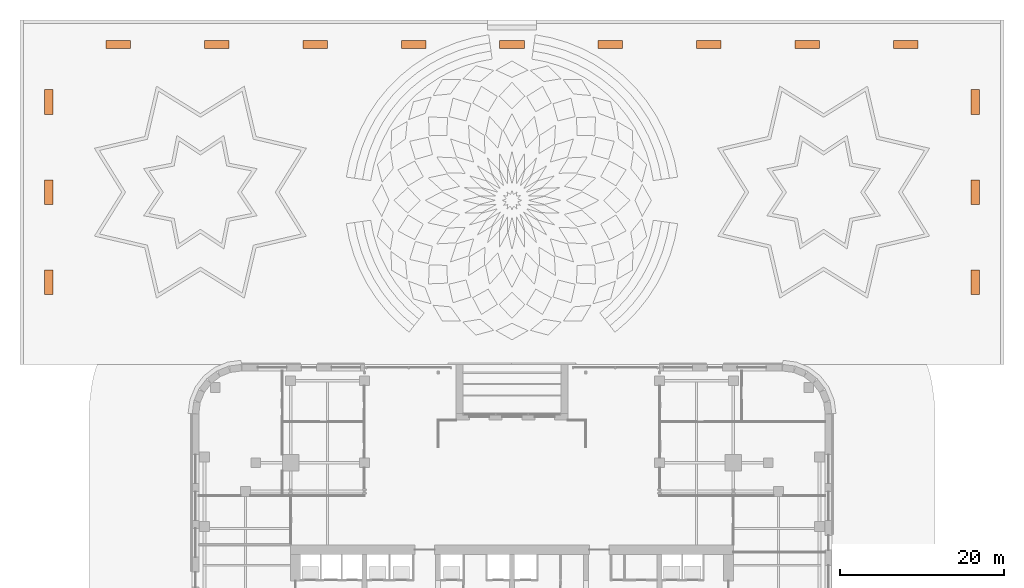
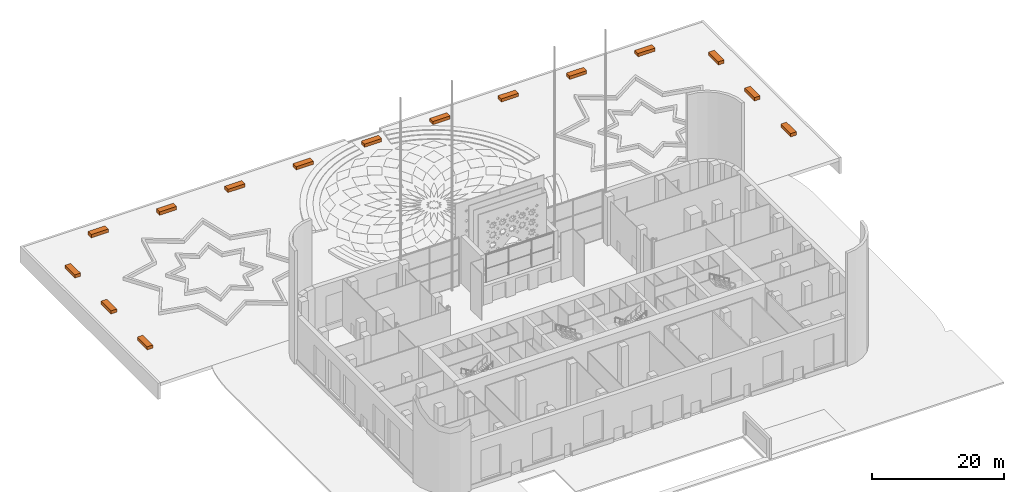
# One storey, part 23 of 23: 15 proxies.
"""IFC4 building model written with IfcOpenShell, lengths in metres."""

from ifc_helpers import new_model, si_unit, direction, frame, origin, origin_2d, place, context, subcontext, project, spatial, rectangle, extrude, material, type_object, element, save


model = new_model("IFC4")

# Units and contexts
model_context = context("Model", 3, precision=1e-05, world=origin(), true_north=direction((0.0, 1.0)))
body_context = subcontext(model_context, "Body", "Model", "MODEL_VIEW")
ifc_project = project(units=[si_unit("LENGTHUNIT", "METRE"), si_unit("AREAUNIT", "SQUARE_METRE"), si_unit("VOLUMEUNIT", "CUBIC_METRE"), si_unit("PLANEANGLEUNIT", "RADIAN"), si_unit("MASSUNIT", "GRAM", prefix="KILO")], contexts=[model_context])

# Site, building, storey
site_placement = place(None, origin())
site = spatial("IfcSite", under=ifc_project, at=site_placement, CompositionType="ELEMENT")
building_placement = place(site_placement, origin())
building = spatial("IfcBuilding", under=site, at=building_placement, Name="Zellij Exchange Tower", CompositionType="ELEMENT")
storey_placement = place(building_placement, origin())
storey = spatial("IfcBuildingStorey", under=building, at=storey_placement, Name="L00", CompositionType="ELEMENT", Elevation=0.0)

# Proxies
ifc_material = material(Name="Precast concrete C40/50", Category="concrete")
building_element_proxy_type = type_object("IfcBuildingElementProxyType", Name="ENV-PLN1 Planter 3000x1000x600", PredefinedType="USERDEFINED", material=ifc_material)
for number, where, z_axis, x_axis, name in (
    (1, (-48.0, 59.0, 0.0), (0.0, 0.0, 1.0), (1.0, 0.0, 0.0), "Planter"),
    (2, (-36.0, 59.0, 0.0), (0.0, 0.0, 1.0), (1.0, 0.0, 0.0), "Planter"),
    (3, (-24.0, 59.0, 0.0), (0.0, 0.0, 1.0), (1.0, 0.0, 0.0), "Planter"),
    (4, (-12.0, 59.0, 0.0), (0.0, 0.0, 1.0), (1.0, 0.0, 0.0), "Planter"),
    (5, (0.0, 59.0, 0.0), (0.0, 0.0, 1.0), (1.0, 0.0, 0.0), "Planter"),
    (6, (12.0, 59.0, 0.0), (0.0, 0.0, 1.0), (1.0, 0.0, 0.0), "Planter"),
    (7, (24.0, 59.0, 0.0), (0.0, 0.0, 1.0), (1.0, 0.0, 0.0), "Planter"),
    (8, (36.0, 59.0, 0.0), (0.0, 0.0, 1.0), (1.0, 0.0, 0.0), "Planter"),
    (9, (48.0, 59.0, 0.0), (0.0, 0.0, 1.0), (1.0, 0.0, 0.0), "Planter"),
    (10, (-56.5, 30.0, 0.0), (0.0, 0.0, 1.0), (0.0, 1.0, 0.0), "Planter"),
    (11, (-56.5, 41.0, 0.0), (0.0, 0.0, 1.0), (0.0, 1.0, 0.0), "Planter"),
    (12, (-56.5, 52.0, 0.0), (0.0, 0.0, 1.0), (0.0, 1.0, 0.0), "Planter"),
    (13, (56.5, 30.0, 0.0), (0.0, 0.0, 1.0), (0.0, 1.0, 0.0), "Planter"),
    (14, (56.5, 41.0, 0.0), (0.0, 0.0, 1.0), (0.0, 1.0, 0.0), "Planter"),
    (15, (56.5, 52.0, 0.0), (0.0, 0.0, 1.0), (0.0, 1.0, 0.0), "Planter"),
):
    element("IfcBuildingElementProxy", number, at=place(storey_placement, frame(where, z_axis=z_axis, x_axis=x_axis)), inside=storey, type_object=building_element_proxy_type, Name=name, ObjectType="PLANTER", PredefinedType="USERDEFINED", context=body_context, shape_type="SweptSolid", body=[
        extrude(rectangle(XDim=3.0, YDim=1.0, at=origin_2d()), origin(), (0.0, 0.0, 1.0), 0.60009765625),
    ])

save(model, "model.ifc")
